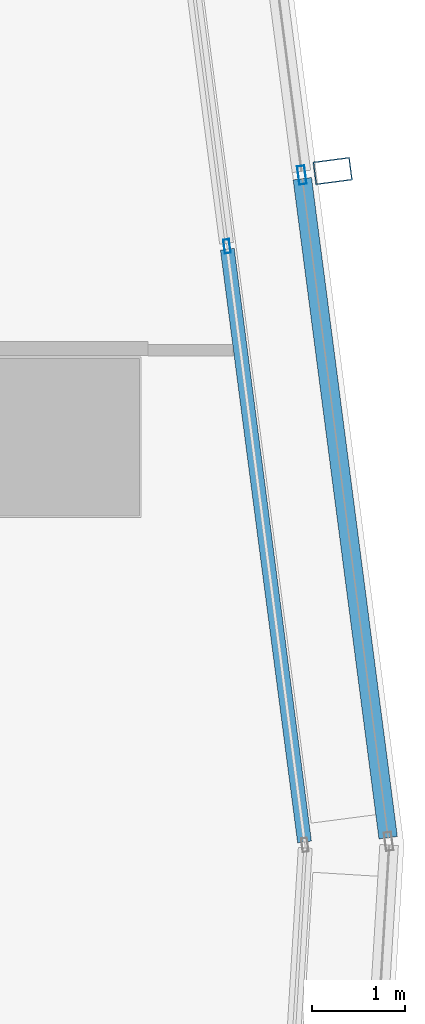
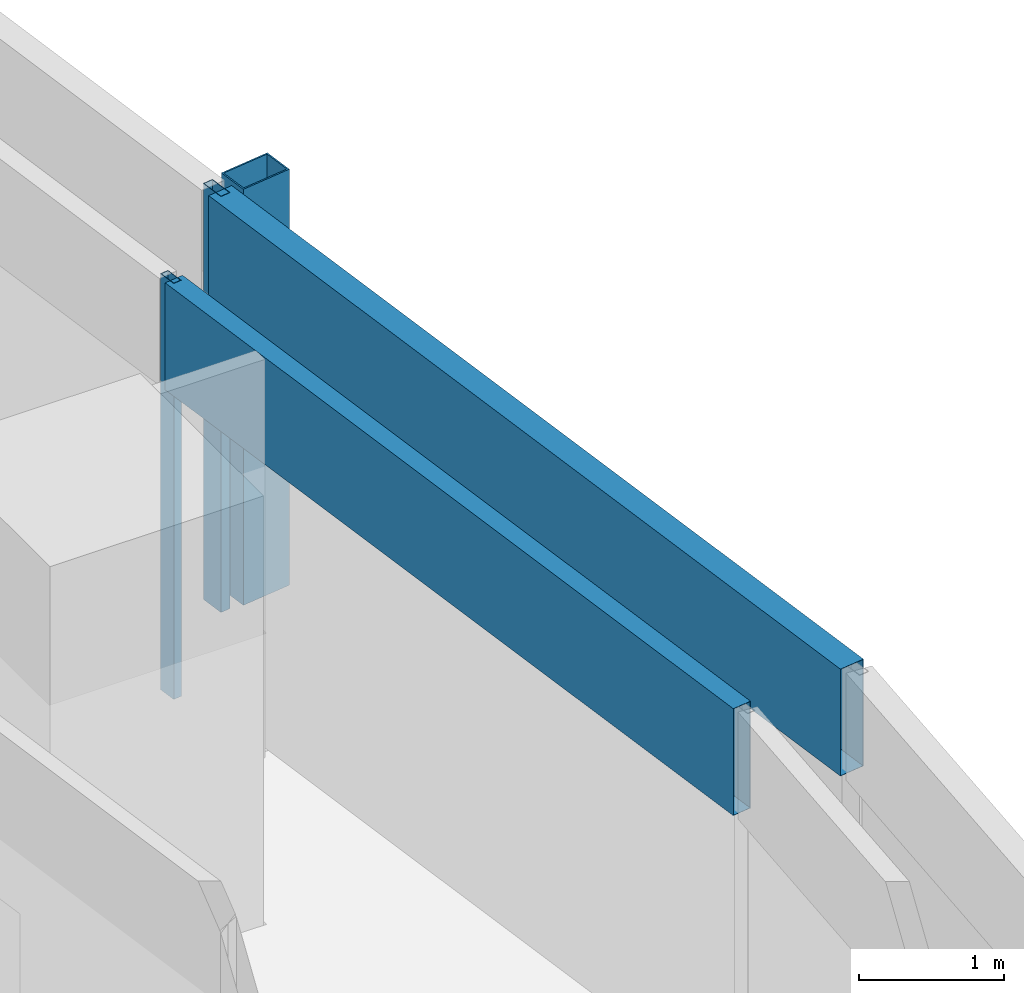
# One storey, part 26 of 40: 5 members, 2 elements without a shape of their own.
"""IFC4 building model written with IfcOpenShell, lengths in metres."""

from ifc_helpers import new_model, si_unit, direction, frame, origin, origin_2d, place, context, subcontext, project, spatial, hollow_rectangle, extrude, material, material_profile, profile_set, type_object, element, aggregate, save


model = new_model("IFC4")

# Units and contexts
model_context = context("Model", 3, precision=1e-05, world=origin(), true_north=direction((0.0, 1.0)))
body_context = subcontext(model_context, "Body", "Model", "MODEL_VIEW")
ifc_project = project(units=[si_unit("LENGTHUNIT", "METRE"), si_unit("AREAUNIT", "SQUARE_METRE"), si_unit("VOLUMEUNIT", "CUBIC_METRE"), si_unit("PLANEANGLEUNIT", "RADIAN"), si_unit("MASSUNIT", "GRAM", prefix="KILO")], contexts=[model_context])

# Site, building, storey
site_placement = place(None, origin())
site = spatial("IfcSite", under=ifc_project, at=site_placement, CompositionType="ELEMENT")
building_placement = place(site_placement, origin())
building = spatial("IfcBuilding", under=site, at=building_placement, Name="Rekha Terrace Tower", CompositionType="ELEMENT")
storey_placement = place(building_placement, frame((0.0, 0.0, 121.550048828125)))
storey = spatial("IfcBuildingStorey", under=building, at=storey_placement, Name="L30", CompositionType="ELEMENT", Elevation=121.550048828125)

# Curtain wall, member
ifc_material_1 = material(Name="Aluminium framing", Category="aluminium")
curtain_wall_type_1 = type_object("IfcCurtainWallType", Name="CW2 double skin outer glazing", PredefinedType="USERDEFINED", material=ifc_material_1)
curtain_wall_1_placement = place(storey_placement, origin())
curtain_wall_1 = element("IfcCurtainWall", 1, at=curtain_wall_1_placement, inside=storey, type_object=curtain_wall_type_1, Name="CW2 double skin outer glazing", ObjectType="DOUBLE SKIN OUTER GLAZING", PredefinedType="USERDEFINED")
ifc_material_2 = material(Name="Steel S355 with fluorocarbon finish", Category="steel")
ifc_material_profile_1 = material_profile(ifc_material_2, hollow_rectangle(XDim=0.25, YDim=0.39990234375, WallThickness=0.012451171875, at=origin_2d()), Name="RHS400x250x12.5")
ifc_profile_set_1 = profile_set([ifc_material_profile_1], Name="Steel S355 with fluorocarbon finish")
member_type_1 = type_object("IfcMemberType", Name="BL1 facade blade RHS 400 x 250", PredefinedType="USERDEFINED", material=ifc_profile_set_1)
member_1_placement = place(storey_placement, frame((70.131103515625, 53.2685546875, 0.0), z_axis=(0.0, 0.0, 1.0), x_axis=(-0.129119247945, 0.991629073702, 0.0)))
member_1 = element("IfcMember", 2, at=member_1_placement, type_object=member_type_1, Name="Facade blade", ObjectType="FACADE BLADE", PredefinedType="USERDEFINED", context=body_context, shape_type="SweptSolid", body=[
    extrude(hollow_rectangle(XDim=0.25, YDim=0.39990234375, WallThickness=0.012451171875, at=origin_2d()), origin(), (0.0, 0.0, 1.0), 3.5),
])

# Curtain wall, members
curtain_wall_type_2 = type_object("IfcCurtainWallType", Name="CW1 double skin inner glazing", PredefinedType="USERDEFINED", material=ifc_material_1)
curtain_wall_2_placement = place(storey_placement, origin())
curtain_wall_2 = element("IfcCurtainWall", 3, at=curtain_wall_2_placement, inside=storey, type_object=curtain_wall_type_2, Name="CW1 double skin inner glazing", ObjectType="DOUBLE SKIN INNER GLAZING", PredefinedType="USERDEFINED")
ifc_material_3 = material(Name="Aluminium mullion section", Category="aluminium")
ifc_material_profile_2 = material_profile(ifc_material_3, hollow_rectangle(XDim=0.06494140625, YDim=0.14990234375, WallThickness=0.00390625, at=origin_2d()), Name="AL RHS 65x150")
ifc_profile_set_2 = profile_set([ifc_material_profile_2], Name="Aluminium mullion section")
member_type_2 = type_object("IfcMemberType", Name="CW1 mullion RHS 65 x 150", PredefinedType="MULLION", material=ifc_profile_set_2)
member_2_placement = place(storey_placement, frame((68.9912109375, 52.45751953125, 0.0), z_axis=(0.0, 0.0, 1.0), x_axis=(-0.991629186237, -0.129118383675, 0.0)))
member_2 = element("IfcMember", 4, at=member_2_placement, type_object=member_type_2, Name="CW1 mullion 2", PredefinedType="MULLION", context=body_context, shape_type="SweptSolid", body=[
    extrude(hollow_rectangle(XDim=0.06494140625, YDim=0.14990234375, WallThickness=0.00390625, at=origin_2d()), origin(), (0.0, 0.0, 1.0), 3.5),
])
ifc_material_4 = material(Name="Insulated aluminium spandrel box", Category="aluminium")
ifc_material_profile_3 = material_profile(ifc_material_4, hollow_rectangle(XDim=0.14990234375, YDim=0.89990234375, WallThickness=0.0029296875, at=origin_2d()), Name="AL SPANDREL BOX 150x900")
ifc_profile_set_3 = profile_set([ifc_material_profile_3], Name="Insulated aluminium spandrel box")
member_type_3 = type_object("IfcMemberType", Name="CW1 spandrel transom 150 x 900", PredefinedType="USERDEFINED", material=ifc_profile_set_3)
member_3_placement = place(storey_placement, frame((69.827392578125, 46.0361328125, 3.050048828125), z_axis=(-0.129135072997, 0.991627013005, 0.0), x_axis=(-0.991627013005, -0.129135072997, 0.0)))
member_3 = element("IfcMember", 5, at=member_3_placement, type_object=member_type_3, Name="CW1 spandrel transom 1", ObjectType="TRANSOM", PredefinedType="USERDEFINED", context=body_context, shape_type="SweptSolid", body=[
    extrude(hollow_rectangle(XDim=0.14990234375, YDim=0.89990234375, WallThickness=0.0029296875, at=origin_2d()), origin(), (0.0, 0.0, 1.0), 6.443115234375),
])
aggregate(curtain_wall_2, [member_2, member_3])

# Member
ifc_material_profile_4 = material_profile(ifc_material_3, hollow_rectangle(XDim=0.080078125, YDim=0.199951171875, WallThickness=0.00390625, at=origin_2d()), Name="AL RHS 80x200")
ifc_profile_set_4 = profile_set([ifc_material_profile_4], Name="Aluminium mullion section")
member_type_4 = type_object("IfcMemberType", Name="CW2 mullion RHS 80 x 200", PredefinedType="MULLION", material=ifc_profile_set_4)
member_4_placement = place(storey_placement, frame((69.798828125, 53.225341796875, 0.0), z_axis=(0.0, 0.0, 1.0), x_axis=(-0.991629186244, -0.129118383623, 0.0)))
member_4 = element("IfcMember", 6, at=member_4_placement, type_object=member_type_4, Name="CW2 mullion 2", PredefinedType="MULLION", context=body_context, shape_type="SweptSolid", body=[
    extrude(hollow_rectangle(XDim=0.080078125, YDim=0.199951171875, WallThickness=0.00390625, at=origin_2d()), origin(), (0.0, 0.0, 1.0), 3.5),
])

ifc_material_profile_5 = material_profile(ifc_material_4, hollow_rectangle(XDim=0.199951171875, YDim=0.89990234375, WallThickness=0.0029296875, at=origin_2d()), Name="AL SPANDREL BOX 200x900")
ifc_profile_set_5 = profile_set([ifc_material_profile_5], Name="Insulated aluminium spandrel box")
member_type_5 = type_object("IfcMemberType", Name="CW2 spandrel transom 200 x 900", PredefinedType="USERDEFINED", material=ifc_profile_set_5)
member_5_placement = place(storey_placement, frame((70.72900390625, 46.081787109375, 3.050048828125), z_axis=(-0.129125015962, 0.991628322635, 0.0), x_axis=(-0.991628322635, -0.129125015962, 0.0)))
member_5 = element("IfcMember", 7, at=member_5_placement, type_object=member_type_5, Name="CW2 spandrel transom 1", ObjectType="TRANSOM", PredefinedType="USERDEFINED", context=body_context, shape_type="SweptSolid", body=[
    extrude(hollow_rectangle(XDim=0.199951171875, YDim=0.89990234375, WallThickness=0.0029296875, at=origin_2d()), origin(), (0.0, 0.0, 1.0), 7.1640625),
])

aggregate(curtain_wall_1, [member_4, member_5, member_1])

save(model, "model.ifc")
